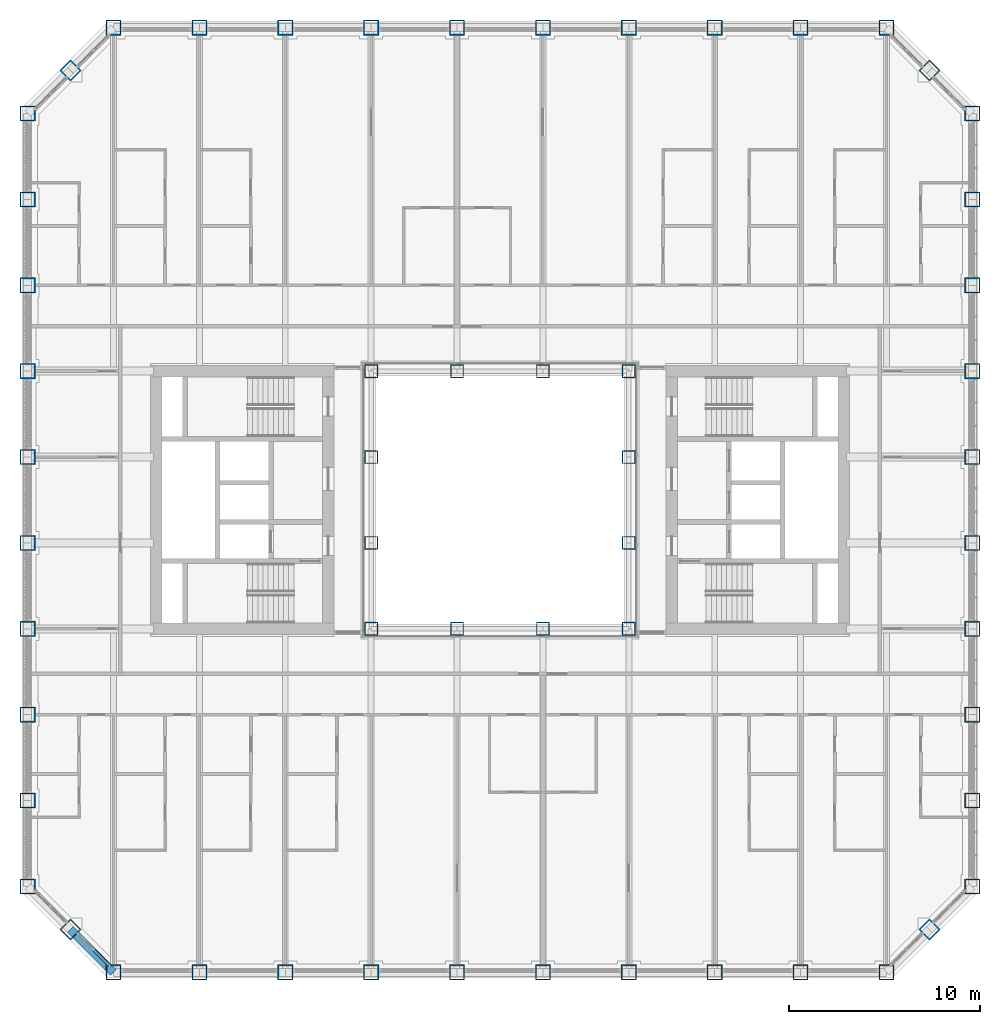
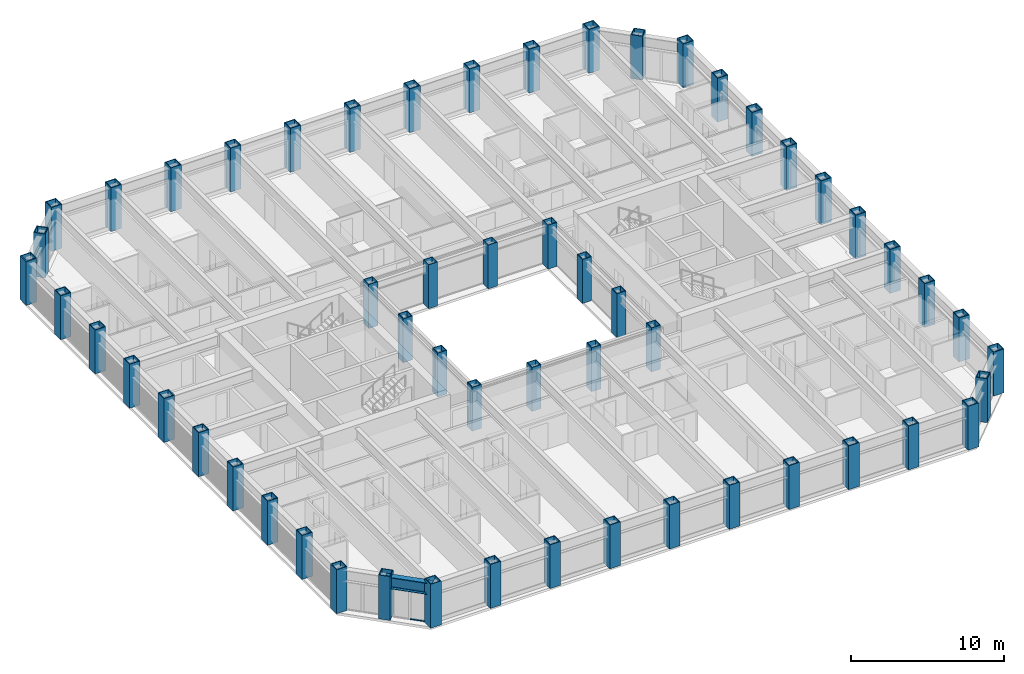
# One storey, part 1 of 21: 56 columns, 2 members, 1 beam, 1 element without a shape of its own.
"""IFC4 building model written with IfcOpenShell, lengths in metres."""

from ifc_helpers import new_model, si_unit, direction, frame, origin, origin_2d, place, context, subcontext, project, spatial, rectangle, hollow_rectangle, i_section, extrude, material, material_profile, profile_set, type_object, element, aggregate, save


model = new_model("IFC4")

# Units and contexts
model_context = context("Model", 3, precision=1e-05, world=origin(), true_north=direction((0.0, 1.0)))
body_context = subcontext(model_context, "Body", "Model", "MODEL_VIEW")
ifc_project = project(units=[si_unit("LENGTHUNIT", "METRE"), si_unit("AREAUNIT", "SQUARE_METRE"), si_unit("VOLUMEUNIT", "CUBIC_METRE"), si_unit("PLANEANGLEUNIT", "RADIAN"), si_unit("MASSUNIT", "GRAM", prefix="KILO")], contexts=[model_context])

# Site, building, storey
site_placement = place(None, origin())
site = spatial("IfcSite", under=ifc_project, at=site_placement, CompositionType="ELEMENT")
building_placement = place(site_placement, origin())
building = spatial("IfcBuilding", under=site, at=building_placement, Name="Msasa Ring Tower", CompositionType="ELEMENT")
storey_placement = place(building_placement, frame((0.0, 0.0, 82.5)))
storey = spatial("IfcBuildingStorey", under=building, at=storey_placement, Name="L21", CompositionType="ELEMENT", Elevation=82.5)

# Columns
ifc_material_1 = material(Name="Steel S355", Category="steel")
ifc_material_profile_1 = material_profile(ifc_material_1, hollow_rectangle(XDim=0.699951171875, YDim=0.699951171875, WallThickness=0.050048828125, at=origin_2d()), Name="BOX 700x700x50")
ifc_profile_set_1 = profile_set([ifc_material_profile_1], Name="Steel S355")
column_type_1 = type_object("IfcColumnType", Name="IC3 BOX 700x700x50", PredefinedType="COLUMN", material=ifc_profile_set_1)
for number, where, z_axis, x_axis, name in (
    (1, (-6.75, -6.75, 0.0), (0.0, 0.0, 1.0), (1.0, 0.0, 0.0), "Inner ring column IR-6.75-6.75 L21"),
    (2, (-6.75, -2.25, 0.0), (0.0, 0.0, 1.0), (1.0, 0.0, 0.0), "Inner ring column IR-6.75-2.25 L21"),
    (3, (-6.75, 2.25, 0.0), (0.0, 0.0, 1.0), (1.0, 0.0, 0.0), "Inner ring column IR-6.75+2.25 L21"),
    (4, (-6.75, 6.75, 0.0), (0.0, 0.0, 1.0), (1.0, 0.0, 0.0), "Inner ring column IR-6.75+6.75 L21"),
    (5, (-2.25, -6.75, 0.0), (0.0, 0.0, 1.0), (1.0, 0.0, 0.0), "Inner ring column IR-2.25-6.75 L21"),
    (6, (-2.25, 6.75, 0.0), (0.0, 0.0, 1.0), (1.0, 0.0, 0.0), "Inner ring column IR-2.25+6.75 L21"),
    (7, (2.25, -6.75, 0.0), (0.0, 0.0, 1.0), (1.0, 0.0, 0.0), "Inner ring column IR+2.25-6.75 L21"),
    (8, (2.25, 6.75, 0.0), (0.0, 0.0, 1.0), (1.0, 0.0, 0.0), "Inner ring column IR+2.25+6.75 L21"),
    (9, (6.75, -6.75, 0.0), (0.0, 0.0, 1.0), (1.0, 0.0, 0.0), "Inner ring column IR+6.75-6.75 L21"),
    (10, (6.75, -2.25, 0.0), (0.0, 0.0, 1.0), (1.0, 0.0, 0.0), "Inner ring column IR+6.75-2.25 L21"),
    (11, (6.75, 2.25, 0.0), (0.0, 0.0, 1.0), (1.0, 0.0, 0.0), "Inner ring column IR+6.75+2.25 L21"),
    (12, (6.75, 6.75, 0.0), (0.0, 0.0, 1.0), (1.0, 0.0, 0.0), "Inner ring column IR+6.75+6.75 L21"),
):
    element("IfcColumn", number, at=place(storey_placement, frame(where, z_axis=z_axis, x_axis=x_axis)), inside=storey, type_object=column_type_1, Name=name, PredefinedType="COLUMN", context=body_context, shape_type="SweptSolid", body=[
        extrude(hollow_rectangle(XDim=0.699951171875, YDim=0.699951171875, WallThickness=0.050048828125, at=origin_2d()), origin(), (0.0, 0.0, 1.0), 3.5),
    ])
ifc_material_2 = material(Name="Steel S355", Category="steel")
ifc_material_profile_2 = material_profile(ifc_material_2, hollow_rectangle(XDim=0.800048828125, YDim=0.800048828125, WallThickness=0.06005859375, at=origin_2d()), Name="BOX 800x800x60")
ifc_profile_set_2 = profile_set([ifc_material_profile_2], Name="Steel S355")
column_type_2 = type_object("IfcColumnType", Name="TC3 BOX 800x800x60", PredefinedType="COLUMN", material=ifc_profile_set_2)
for number, where, z_axis, x_axis, name in (
    (13, (-20.25, -24.75, 0.0), (0.0, 0.0, 1.0), (0.0, 1.0, 0.0), "Tube column S-20.25 L21"),
    (14, (-20.25, 24.75, 0.0), (0.0, 0.0, 1.0), (0.0, 1.0, 0.0), "Tube column N-20.25 L21"),
    (15, (24.75, -20.25, 0.0), (0.0, 0.0, 1.0), (1.0, 0.0, 0.0), "Tube column E-20.25 L21"),
    (16, (-24.75, -20.25, 0.0), (0.0, 0.0, 1.0), (1.0, 0.0, 0.0), "Tube column W-20.25 L21"),
    (17, (-15.75, -24.75, 0.0), (0.0, 0.0, 1.0), (0.0, 1.0, 0.0), "Tube column S-15.75 L21"),
    (18, (-15.75, 24.75, 0.0), (0.0, 0.0, 1.0), (0.0, 1.0, 0.0), "Tube column N-15.75 L21"),
    (19, (24.75, -15.75, 0.0), (0.0, 0.0, 1.0), (1.0, 0.0, 0.0), "Tube column E-15.75 L21"),
    (20, (-24.75, -15.75, 0.0), (0.0, 0.0, 1.0), (1.0, 0.0, 0.0), "Tube column W-15.75 L21"),
    (21, (-11.25, -24.75, 0.0), (0.0, 0.0, 1.0), (0.0, 1.0, 0.0), "Tube column S-11.25 L21"),
    (22, (-11.25, 24.75, 0.0), (0.0, 0.0, 1.0), (0.0, 1.0, 0.0), "Tube column N-11.25 L21"),
    (23, (24.75, -11.25, 0.0), (0.0, 0.0, 1.0), (1.0, 0.0, 0.0), "Tube column E-11.25 L21"),
    (24, (-24.75, -11.25, 0.0), (0.0, 0.0, 1.0), (1.0, 0.0, 0.0), "Tube column W-11.25 L21"),
    (25, (-6.75, -24.75, 0.0), (0.0, 0.0, 1.0), (0.0, 1.0, 0.0), "Tube column S-6.75 L21"),
    (26, (-6.75, 24.75, 0.0), (0.0, 0.0, 1.0), (0.0, 1.0, 0.0), "Tube column N-6.75 L21"),
    (27, (24.75, -6.75, 0.0), (0.0, 0.0, 1.0), (1.0, 0.0, 0.0), "Tube column E-6.75 L21"),
    (28, (-24.75, -6.75, 0.0), (0.0, 0.0, 1.0), (1.0, 0.0, 0.0), "Tube column W-6.75 L21"),
    (29, (-2.25, -24.75, 0.0), (0.0, 0.0, 1.0), (0.0, 1.0, 0.0), "Tube column S-2.25 L21"),
    (30, (-2.25, 24.75, 0.0), (0.0, 0.0, 1.0), (0.0, 1.0, 0.0), "Tube column N-2.25 L21"),
    (31, (24.75, -2.25, 0.0), (0.0, 0.0, 1.0), (1.0, 0.0, 0.0), "Tube column E-2.25 L21"),
    (32, (-24.75, -2.25, 0.0), (0.0, 0.0, 1.0), (1.0, 0.0, 0.0), "Tube column W-2.25 L21"),
    (33, (2.25, -24.75, 0.0), (0.0, 0.0, 1.0), (0.0, 1.0, 0.0), "Tube column S+2.25 L21"),
    (34, (2.25, 24.75, 0.0), (0.0, 0.0, 1.0), (0.0, 1.0, 0.0), "Tube column N+2.25 L21"),
    (35, (24.75, 2.25, 0.0), (0.0, 0.0, 1.0), (1.0, 0.0, 0.0), "Tube column E+2.25 L21"),
    (36, (-24.75, 2.25, 0.0), (0.0, 0.0, 1.0), (1.0, 0.0, 0.0), "Tube column W+2.25 L21"),
    (37, (6.75, -24.75, 0.0), (0.0, 0.0, 1.0), (0.0, 1.0, 0.0), "Tube column S+6.75 L21"),
    (38, (6.75, 24.75, 0.0), (0.0, 0.0, 1.0), (0.0, 1.0, 0.0), "Tube column N+6.75 L21"),
    (39, (24.75, 6.75, 0.0), (0.0, 0.0, 1.0), (1.0, 0.0, 0.0), "Tube column E+6.75 L21"),
    (40, (-24.75, 6.75, 0.0), (0.0, 0.0, 1.0), (1.0, 0.0, 0.0), "Tube column W+6.75 L21"),
    (41, (11.25, -24.75, 0.0), (0.0, 0.0, 1.0), (0.0, 1.0, 0.0), "Tube column S+11.25 L21"),
    (42, (11.25, 24.75, 0.0), (0.0, 0.0, 1.0), (0.0, 1.0, 0.0), "Tube column N+11.25 L21"),
    (43, (24.75, 11.25, 0.0), (0.0, 0.0, 1.0), (1.0, 0.0, 0.0), "Tube column E+11.25 L21"),
    (44, (-24.75, 11.25, 0.0), (0.0, 0.0, 1.0), (1.0, 0.0, 0.0), "Tube column W+11.25 L21"),
    (45, (15.75, -24.75, 0.0), (0.0, 0.0, 1.0), (0.0, 1.0, 0.0), "Tube column S+15.75 L21"),
    (46, (15.75, 24.75, 0.0), (0.0, 0.0, 1.0), (0.0, 1.0, 0.0), "Tube column N+15.75 L21"),
    (47, (24.75, 15.75, 0.0), (0.0, 0.0, 1.0), (1.0, 0.0, 0.0), "Tube column E+15.75 L21"),
    (48, (-24.75, 15.75, 0.0), (0.0, 0.0, 1.0), (1.0, 0.0, 0.0), "Tube column W+15.75 L21"),
    (49, (20.25, -24.75, 0.0), (0.0, 0.0, 1.0), (0.0, 1.0, 0.0), "Tube column S+20.25 L21"),
    (50, (20.25, 24.75, 0.0), (0.0, 0.0, 1.0), (0.0, 1.0, 0.0), "Tube column N+20.25 L21"),
    (51, (24.75, 20.25, 0.0), (0.0, 0.0, 1.0), (1.0, 0.0, 0.0), "Tube column E+20.25 L21"),
    (52, (-24.75, 20.25, 0.0), (0.0, 0.0, 1.0), (1.0, 0.0, 0.0), "Tube column W+20.25 L21"),
    (53, (22.5, -22.5, 0.0), (0.0, 0.0, 1.0), (0.707106781187, -0.707106781187, 0.0), "Tube column SE L21"),
    (54, (22.5, 22.5, 0.0), (0.0, 0.0, 1.0), (0.707106781187, 0.707106781187, 0.0), "Tube column NE L21"),
    (55, (-22.5, 22.5, 0.0), (0.0, 0.0, 1.0), (0.707106781187, -0.707106781187, 0.0), "Tube column NW L21"),
    (56, (-22.5, -22.5, 0.0), (0.0, 0.0, 1.0), (0.707106781187, 0.707106781187, 0.0), "Tube column SW L21"),
):
    element("IfcColumn", number, at=place(storey_placement, frame(where, z_axis=z_axis, x_axis=x_axis)), inside=storey, type_object=column_type_2, Name=name, PredefinedType="COLUMN", context=body_context, shape_type="SweptSolid", body=[
        extrude(hollow_rectangle(XDim=0.800048828125, YDim=0.800048828125, WallThickness=0.06005859375, at=origin_2d()), origin(), (0.0, 0.0, 1.0), 3.5),
    ])

# Curtain wall, members
ifc_material_3 = material(Name="Aluminium curtain wall with clear glass", Category="aluminium")
curtain_wall_type = type_object("IfcCurtainWallType", Name="CW-C CHAMFER CORNER CURTAIN WALL", PredefinedType="NOTDEFINED", material=ifc_material_3)
curtain_wall_placement = place(storey_placement, origin())
curtain_wall = element("IfcCurtainWall", 57, at=curtain_wall_placement, inside=storey, type_object=curtain_wall_type, Name="Chamfer corner curtain wall SW L21", PredefinedType="NOTDEFINED")
ifc_material_4 = material(Name="Aluminium transom", Category="aluminium")
ifc_material_profile_3 = material_profile(ifc_material_4, rectangle(XDim=0.139892578125, YDim=0.06494140625, at=origin_2d()), Name="AL 65x140")
ifc_profile_set_3 = profile_set([ifc_material_profile_3], Name="Aluminium transom")
member_type = type_object("IfcMemberType", Name="CW-C TRANSOM 65x140", PredefinedType="USERDEFINED", material=ifc_profile_set_3)
member_1_placement = place(storey_placement, frame((-21.28125, -23.577392578125, 0.032470703125), z_axis=(0.707106781187, -0.707106781187, 0.0), x_axis=(0.707106781187, 0.707106781187, 0.0)))
member_1 = element("IfcMember", 58, at=member_1_placement, type_object=member_type, Name="CW-C transom 2.1", ObjectType="TRANSOM", PredefinedType="USERDEFINED", context=body_context, shape_type="SweptSolid", body=[
    extrude(rectangle(XDim=0.139892578125, YDim=0.06494140625, at=origin_2d()), origin(), (0.0, 0.0, 1.0), 1.08837890625),
])
member_2_placement = place(storey_placement, frame((-21.28125, -23.577392578125, 2.346435546875), z_axis=(0.707106781187, -0.707106781187, 0.0), x_axis=(0.707106781187, 0.707106781187, 0.0)))
member_2 = element("IfcMember", 59, at=member_2_placement, type_object=member_type, Name="CW-C transom 2.2", ObjectType="TRANSOM", PredefinedType="USERDEFINED", context=body_context, shape_type="SweptSolid", body=[
    extrude(rectangle(XDim=0.139892578125, YDim=0.06494140625, at=origin_2d()), origin(), (0.0, 0.0, 1.0), 1.08837890625),
])
aggregate(curtain_wall, [member_1, member_2])

# Beam
ifc_material_5 = material(Name="Steel S355", Category="steel")
ifc_material_profile_4 = material_profile(ifc_material_5, i_section(OverallWidth=0.42041015625, OverallDepth=0.9208984375, WebThickness=0.021484375, FlangeThickness=0.03662109375, FilletRadius=0.024169921875, at=origin_2d()), Name="UB 914x419x388")
ifc_profile_set_4 = profile_set([ifc_material_profile_4], Name="Steel S355")
beam_type = type_object("IfcBeamType", Name="SB1 UB 914x419x388", PredefinedType="SPANDREL", material=ifc_profile_set_4)
beam_placement = place(storey_placement, frame((-22.5, -22.5, 2.839599609375), z_axis=(0.707106781187, -0.707106781187, 0.0), x_axis=(0.707106781187, 0.707106781187, 0.0)))
element("IfcBeam", 60, at=beam_placement, inside=storey, type_object=beam_type, Name="Spandrel SW to S-20.25 under L22", PredefinedType="SPANDREL", context=body_context, shape_type="SweptSolid", body=[
    extrude(i_section(OverallWidth=0.42041015625, OverallDepth=0.9208984375, WebThickness=0.021484375, FlangeThickness=0.03662109375, FilletRadius=0.024169921875, at=origin_2d()), origin(), (0.0, 0.0, 1.0), 3.181884765625),
])

save(model, "model.ifc")
